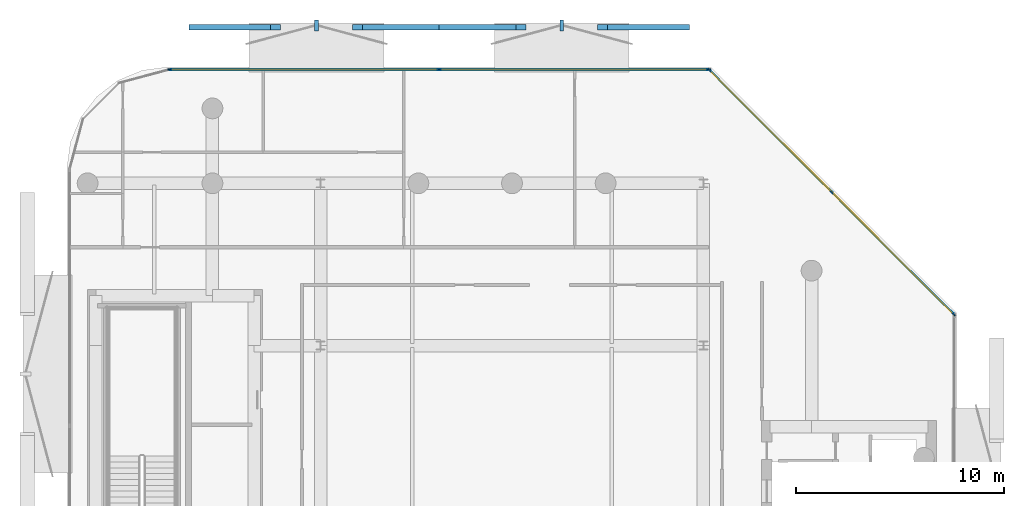
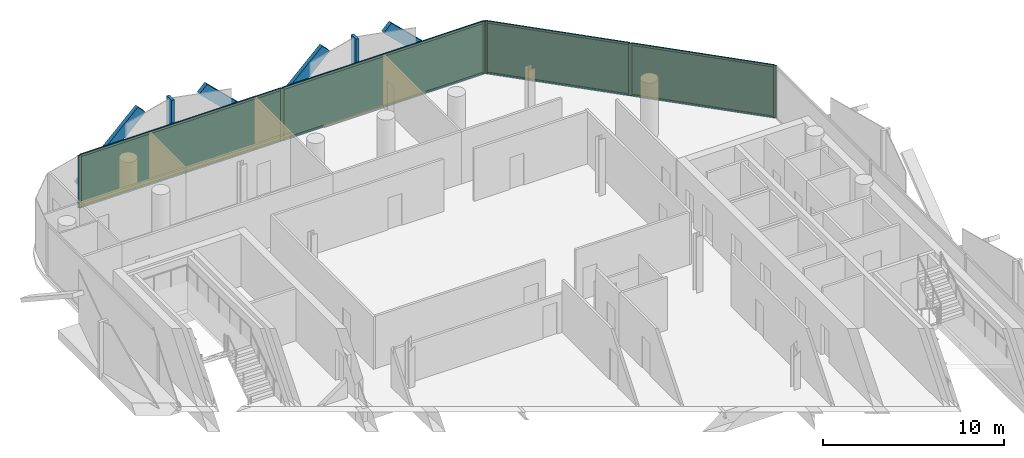
# One storey, part 12 of 15: 20 members, 4 plates, 2 curtain walls.
"""IFC4 building model written with IfcOpenShell, lengths in metres."""

from ifc_helpers import new_model, si_unit, direction, frame, frame_2d, origin, origin_2d, place, context, subcontext, project, spatial, rectangle, extrude, material, layer, layer_set, material_profile, profile_set, type_object, element, aggregate, save


model = new_model("IFC4")

# Units and contexts
model_context = context("Model", 3, precision=1e-05, world=origin(), true_north=direction((0.0, 1.0)))
body_context = subcontext(model_context, "Body", "Model", "MODEL_VIEW")
ifc_project = project(units=[si_unit("LENGTHUNIT", "METRE"), si_unit("AREAUNIT", "SQUARE_METRE"), si_unit("VOLUMEUNIT", "CUBIC_METRE"), si_unit("PLANEANGLEUNIT", "RADIAN"), si_unit("MASSUNIT", "GRAM", prefix="KILO")], contexts=[model_context])

# Member
ifc_material_1 = material(Name="Anodised Bronze Aluminium 6063-T6", Category="aluminium")
ifc_material_profile_1 = material_profile(ifc_material_1, rectangle(XDim=0.260009765625, YDim=0.699951171875, at=origin_2d()))
ifc_profile_set_1 = profile_set([ifc_material_profile_1], Name="Anodised Bronze Aluminium 6063-T6")
member_type_1 = type_object("IfcMemberType", Name="Bronze Diamond Solar-Screen Lattice Rib BDL-700", PredefinedType="MULLION", material=ifc_profile_set_1)
site_placement = place(None, origin())
building_placement = place(site_placement, origin())
storey_placement = place(building_placement, frame((0.0, 0.0, 289.0)))
member_1_placement = place(storey_placement, frame((-15.290771484375, 26.10009765625, -0.1298828125), z_axis=(0.718800851158, 0.0, 0.695216035758), x_axis=(0.0, 1.0, 0.0)))
member_1 = element("IfcMember", 1, at=member_1_placement, type_object=member_type_1, Name="L69 Bronze Diamond Solar Screen Lattice Rib 482A", PredefinedType="MULLION", context=body_context, shape_type="SweptSolid", body=[
    extrude(rectangle(XDim=0.260009765625, YDim=0.699951171875, at=origin_2d()), origin(), (0.0, 0.0, 1.0), 5.465576171875),
])

member_2_placement = place(storey_placement, frame((-3.50439453125, 26.10009765625, -0.1298828125), z_axis=(-0.718800851158, 0.0, 0.695216035758), x_axis=(0.0, -1.0, 0.0)))
member_2 = element("IfcMember", 2, at=member_2_placement, type_object=member_type_1, Name="L69 Bronze Diamond Solar Screen Lattice Rib 482B", PredefinedType="MULLION", context=body_context, shape_type="SweptSolid", body=[
    extrude(rectangle(XDim=0.260009765625, YDim=0.699951171875, at=origin_2d()), origin(), (0.0, 0.0, 1.0), 5.465576171875),
])

member_3_placement = place(storey_placement, frame((-3.50439453125, 26.10009765625, -0.1298828125), z_axis=(0.718800851158, 0.0, 0.695216035758), x_axis=(0.0, 1.0, 0.0)))
member_3 = element("IfcMember", 3, at=member_3_placement, type_object=member_type_1, Name="L69 Bronze Diamond Solar Screen Lattice Rib 483A", PredefinedType="MULLION", context=body_context, shape_type="SweptSolid", body=[
    extrude(rectangle(XDim=0.260009765625, YDim=0.699951171875, at=origin_2d()), origin(), (0.0, 0.0, 1.0), 5.465576171875),
])

member_4_placement = place(storey_placement, frame((8.281982421875, 26.10009765625, -0.1298828125), z_axis=(-0.718800851158, 0.0, 0.695216035758), x_axis=(0.0, -1.0, 0.0)))
member_4 = element("IfcMember", 4, at=member_4_placement, type_object=member_type_1, Name="L69 Bronze Diamond Solar Screen Lattice Rib 483B", PredefinedType="MULLION", context=body_context, shape_type="SweptSolid", body=[
    extrude(rectangle(XDim=0.260009765625, YDim=0.699951171875, at=origin_2d()), origin(), (0.0, 0.0, 1.0), 5.465576171875),
])

ifc_material_2 = material(Name="Anodised Bronze Aluminium 6063-T6", Category="aluminium")
ifc_material_profile_2 = material_profile(ifc_material_2, rectangle(XDim=0.179931640625, YDim=0.5400390625, at=origin_2d()))
ifc_profile_set_2 = profile_set([ifc_material_profile_2], Name="Anodised Bronze Aluminium 6063-T6")
member_type_2 = type_object("IfcMemberType", Name="Bronze Solar-Screen Vertical Fold Fin BSF-540", PredefinedType="MULLION", material=ifc_profile_set_2)
member_5_placement = place(storey_placement, frame((-9.397705078125, 26.179931640625, -0.1298828125), z_axis=(0.0, 0.0, 1.0), x_axis=(1.0, 0.0, 0.0)))
member_5 = element("IfcMember", 5, at=member_5_placement, type_object=member_type_2, Name="L69 Bronze Solar Screen Vertical Fin 482", PredefinedType="MULLION", context=body_context, shape_type="SweptSolid", body=[
    extrude(rectangle(XDim=0.179931640625, YDim=0.5400390625, at=origin_2d()), origin(), (0.0, 0.0, 1.0), 3.7998046875),
])

member_6_placement = place(storey_placement, frame((2.388916015625, 26.179931640625, -0.1298828125), z_axis=(0.0, 0.0, 1.0), x_axis=(1.0, 0.0, 0.0)))
member_6 = element("IfcMember", 6, at=member_6_placement, type_object=member_type_2, Name="L69 Bronze Solar Screen Vertical Fin 483", PredefinedType="MULLION", context=body_context, shape_type="SweptSolid", body=[
    extrude(rectangle(XDim=0.179931640625, YDim=0.5400390625, at=origin_2d()), origin(), (0.0, 0.0, 1.0), 3.7998046875),
])

ifc_material_3 = material(Name="Anodised Bronze Aluminium 6063-T6", Category="aluminium")
ifc_material_profile_3 = material_profile(ifc_material_3, rectangle(XDim=0.074951171875, YDim=0.2099609375, at=origin_2d()))
ifc_profile_set_3 = profile_set([ifc_material_profile_3], Name="Anodised Bronze Aluminium 6063-T6")
member_type_3 = type_object("IfcMemberType", Name="CW-CRN Mullion 75x210", PredefinedType="MULLION", material=ifc_profile_set_3)
member_7_placement = place(storey_placement, frame((-16.453369140625, 24.06005859375, 0.0), z_axis=(0.0, 0.0, 1.0), x_axis=(0.0, 1.0, 0.0)))
member_7 = element("IfcMember", 7, at=member_7_placement, type_object=member_type_3, Name="CW-CRN mullion 1", PredefinedType="MULLION", context=body_context, shape_type="SweptSolid", body=[
    extrude(rectangle(XDim=0.074951171875, YDim=0.2099609375, at=origin_2d()), origin(), (0.0, 0.0, 1.0), 3.5400390625),
])

member_8_placement = place(storey_placement, frame((-3.50439453125, 24.06005859375, 0.0), z_axis=(0.0, 0.0, 1.0), x_axis=(0.0, 1.0, 0.0)))
member_8 = element("IfcMember", 8, at=member_8_placement, type_object=member_type_3, Name="CW-CRN mullion 2", PredefinedType="MULLION", context=body_context, shape_type="SweptSolid", body=[
    extrude(rectangle(XDim=0.074951171875, YDim=0.2099609375, at=origin_2d()), origin(), (0.0, 0.0, 1.0), 3.5400390625),
])

member_9_placement = place(storey_placement, frame((9.444580078125, 24.06005859375, 0.0), z_axis=(0.0, 0.0, 1.0), x_axis=(0.0, 1.0, 0.0)))
member_9 = element("IfcMember", 9, at=member_9_placement, type_object=member_type_3, Name="CW-CRN mullion 3", PredefinedType="MULLION", context=body_context, shape_type="SweptSolid", body=[
    extrude(rectangle(XDim=0.074951171875, YDim=0.2099609375, at=origin_2d()), origin(), (0.0, 0.0, 1.0), 3.5400390625),
])

ifc_material_4 = material(Name="Anodised Bronze Aluminium 6063-T6", Category="aluminium")
ifc_material_profile_4 = material_profile(ifc_material_4, rectangle(XDim=0.074951171875, YDim=0.1650390625, at=origin_2d()))
ifc_profile_set_4 = profile_set([ifc_material_profile_4], Name="Anodised Bronze Aluminium 6063-T6")
member_type_4 = type_object("IfcMemberType", Name="CW-CRN Transom 75x165", PredefinedType="USERDEFINED", material=ifc_profile_set_4)
member_10_placement = place(storey_placement, frame((-16.415771484375, 24.06005859375, 0.03759765625), z_axis=(1.0, 0.0, 0.0), x_axis=(0.0, 1.0, 0.0)))
member_10 = element("IfcMember", 10, at=member_10_placement, type_object=member_type_4, Name="CW-CRN transom 1.1", ObjectType="TRANSOM", PredefinedType="USERDEFINED", context=body_context, shape_type="SweptSolid", body=[
    extrude(rectangle(XDim=0.074951171875, YDim=0.1650390625, at=origin_2d()), origin(), (0.0, 0.0, 1.0), 12.873779296875),
])

member_11_placement = place(storey_placement, frame((-16.415771484375, 24.06005859375, 3.50244140625), z_axis=(1.0, 0.0, 0.0), x_axis=(0.0, 1.0, 0.0)))
member_11 = element("IfcMember", 11, at=member_11_placement, type_object=member_type_4, Name="CW-CRN transom 1.2", ObjectType="TRANSOM", PredefinedType="USERDEFINED", context=body_context, shape_type="SweptSolid", body=[
    extrude(rectangle(XDim=0.074951171875, YDim=0.1650390625, at=origin_2d()), origin(), (0.0, 0.0, 1.0), 12.873779296875),
])

member_12_placement = place(storey_placement, frame((-3.466796875, 24.06005859375, 0.03759765625), z_axis=(1.0, 0.0, 0.0), x_axis=(0.0, 1.0, 0.0)))
member_12 = element("IfcMember", 12, at=member_12_placement, type_object=member_type_4, Name="CW-CRN transom 2.1", ObjectType="TRANSOM", PredefinedType="USERDEFINED", context=body_context, shape_type="SweptSolid", body=[
    extrude(rectangle(XDim=0.074951171875, YDim=0.1650390625, at=origin_2d()), origin(), (0.0, 0.0, 1.0), 12.873779296875),
])

member_13_placement = place(storey_placement, frame((-3.466796875, 24.06005859375, 3.50244140625), z_axis=(1.0, 0.0, 0.0), x_axis=(0.0, 1.0, 0.0)))
member_13 = element("IfcMember", 13, at=member_13_placement, type_object=member_type_4, Name="CW-CRN transom 2.2", ObjectType="TRANSOM", PredefinedType="USERDEFINED", context=body_context, shape_type="SweptSolid", body=[
    extrude(rectangle(XDim=0.074951171875, YDim=0.1650390625, at=origin_2d()), origin(), (0.0, 0.0, 1.0), 12.873779296875),
])

ifc_material_5 = material(Name="Anodised Bronze Aluminium 6063-T6", Category="aluminium")
ifc_material_profile_5 = material_profile(ifc_material_5, rectangle(XDim=0.070068359375, YDim=0.18994140625, at=origin_2d()))
ifc_profile_set_5 = profile_set([ifc_material_profile_5], Name="Anodised Bronze Aluminium 6063-T6")
member_type_5 = type_object("IfcMemberType", Name="CW-SLC Mullion 70x190", PredefinedType="MULLION", material=ifc_profile_set_5)
member_14_placement = place(storey_placement, frame((9.5068359375, 24.03515625, 0.0), z_axis=(0.0, 0.0, 1.0), x_axis=(0.707106781187, 0.707106781187, 0.0)))
member_14 = element("IfcMember", 14, at=member_14_placement, type_object=member_type_5, Name="CW-SLC mullion 1", PredefinedType="MULLION", context=body_context, shape_type="SweptSolid", body=[
    extrude(rectangle(XDim=0.070068359375, YDim=0.18994140625, at=origin_2d()), origin(), (0.0, 0.0, 1.0), 3.5400390625),
])

member_15_placement = place(storey_placement, frame((15.37109375, 18.1708984375, 0.0), z_axis=(0.0, 0.0, 1.0), x_axis=(0.707106781187, 0.707106781187, 0.0)))
member_15 = element("IfcMember", 15, at=member_15_placement, type_object=member_type_5, Name="CW-SLC mullion 2", PredefinedType="MULLION", context=body_context, shape_type="SweptSolid", body=[
    extrude(rectangle(XDim=0.070068359375, YDim=0.18994140625, at=origin_2d()), origin(), (0.0, 0.0, 1.0), 3.5400390625),
])

member_16_placement = place(storey_placement, frame((21.2353515625, 12.306640625, 0.0), z_axis=(0.0, 0.0, 1.0), x_axis=(0.707106781187, 0.707106781187, 0.0)))
member_16 = element("IfcMember", 16, at=member_16_placement, type_object=member_type_5, Name="CW-SLC mullion 3", PredefinedType="MULLION", context=body_context, shape_type="SweptSolid", body=[
    extrude(rectangle(XDim=0.070068359375, YDim=0.18994140625, at=origin_2d()), origin(), (0.0, 0.0, 1.0), 3.5400390625),
])

ifc_material_6 = material(Name="Anodised Bronze Aluminium 6063-T6", Category="aluminium")
ifc_material_profile_6 = material_profile(ifc_material_6, rectangle(XDim=0.070068359375, YDim=0.14990234375, at=origin_2d()))
ifc_profile_set_6 = profile_set([ifc_material_profile_6], Name="Anodised Bronze Aluminium 6063-T6")
member_type_6 = type_object("IfcMemberType", Name="CW-SLC Transom 70x150", PredefinedType="USERDEFINED", material=ifc_profile_set_6)
member_17_placement = place(storey_placement, frame((9.531494140625, 24.010498046875, 0.034912109375), z_axis=(0.707106781187, -0.707106781187, 0.0), x_axis=(0.707106781187, 0.707106781187, 0.0)))
member_17 = element("IfcMember", 17, at=member_17_placement, type_object=member_type_6, Name="CW-SLC transom 1.1", ObjectType="TRANSOM", PredefinedType="USERDEFINED", context=body_context, shape_type="SweptSolid", body=[
    extrude(rectangle(XDim=0.070068359375, YDim=0.14990234375, at=origin_2d()), origin(), (0.0, 0.0, 1.0), 8.22314453125),
])

member_18_placement = place(storey_placement, frame((9.531494140625, 24.010498046875, 3.5048828125), z_axis=(0.707106781187, -0.707106781187, 0.0), x_axis=(0.707106781187, 0.707106781187, 0.0)))
member_18 = element("IfcMember", 18, at=member_18_placement, type_object=member_type_6, Name="CW-SLC transom 1.2", ObjectType="TRANSOM", PredefinedType="USERDEFINED", context=body_context, shape_type="SweptSolid", body=[
    extrude(rectangle(XDim=0.070068359375, YDim=0.14990234375, at=origin_2d()), origin(), (0.0, 0.0, 1.0), 8.22314453125),
])

member_19_placement = place(storey_placement, frame((15.395751953125, 18.146240234375, 0.034912109375), z_axis=(0.707106781187, -0.707106781187, 0.0), x_axis=(0.707106781187, 0.707106781187, 0.0)))
member_19 = element("IfcMember", 19, at=member_19_placement, type_object=member_type_6, Name="CW-SLC transom 2.1", ObjectType="TRANSOM", PredefinedType="USERDEFINED", context=body_context, shape_type="SweptSolid", body=[
    extrude(rectangle(XDim=0.070068359375, YDim=0.14990234375, at=origin_2d()), origin(), (0.0, 0.0, 1.0), 8.22314453125),
])

member_20_placement = place(storey_placement, frame((15.395751953125, 18.146240234375, 3.5048828125), z_axis=(0.707106781187, -0.707106781187, 0.0), x_axis=(0.707106781187, 0.707106781187, 0.0)))
member_20 = element("IfcMember", 20, at=member_20_placement, type_object=member_type_6, Name="CW-SLC transom 2.2", ObjectType="TRANSOM", PredefinedType="USERDEFINED", context=body_context, shape_type="SweptSolid", body=[
    extrude(rectangle(XDim=0.070068359375, YDim=0.14990234375, at=origin_2d()), origin(), (0.0, 0.0, 1.0), 8.22314453125),
])

# Plate
ifc_material_7 = material(Name="Low-E Solar Control Laminated Glass", Category="glass")
ifc_layer_1 = layer(ifc_material_7, 0.035888671875, Name="Low-E Solar Control Laminated Glass")
ifc_layer_set_1 = layer_set([ifc_layer_1], Name="Low-E Solar Control Laminated Glass")
plate_type_1 = type_object("IfcPlateType", Name="CW-CRN Low-E Double Glazed Panel 36mm", PredefinedType="CURTAIN_PANEL", material=ifc_layer_set_1)
plate_1_placement = place(storey_placement, frame((-9.978759765625, 24.06005859375, 0.0751953125), z_axis=(0.0, 0.0, 1.0), x_axis=(1.0, 0.0, 0.0)))
plate_1 = element("IfcPlate", 21, at=plate_1_placement, type_object=plate_type_1, Name="CW-CRN panel 1.1", PredefinedType="CURTAIN_PANEL", context=body_context, shape_type="SweptSolid", body=[
    extrude(rectangle(XDim=12.873779296875, YDim=0.035888671875, at=origin_2d()), origin(), (0.0, 0.0, 1.0), 3.389892578125),
])

plate_2_placement = place(storey_placement, frame((2.969970703125, 24.06005859375, 0.0751953125), z_axis=(0.0, 0.0, 1.0), x_axis=(1.0, 0.0, 0.0)))
plate_2 = element("IfcPlate", 22, at=plate_2_placement, type_object=plate_type_1, Name="CW-CRN panel 2.1", PredefinedType="CURTAIN_PANEL", context=body_context, shape_type="SweptSolid", body=[
    extrude(rectangle(XDim=12.873779296875, YDim=0.035888671875, at=origin_2d()), origin(), (0.0, 0.0, 1.0), 3.389892578125),
])

ifc_material_8 = material(Name="Low-E Solar Control Laminated Glass", Category="glass")
ifc_layer_2 = layer(ifc_material_8, 0.033935546875, Name="Low-E Solar Control Laminated Glass")
ifc_layer_set_2 = layer_set([ifc_layer_2], Name="Low-E Solar Control Laminated Glass")
plate_type_2 = type_object("IfcPlateType", Name="CW-SLC Low-E Double Glazed Panel 34mm", PredefinedType="CURTAIN_PANEL", material=ifc_layer_set_2)
plate_3_placement = place(storey_placement, frame((12.43896484375, 21.10302734375, 0.070068359375), z_axis=(0.0, 0.0, 1.0), x_axis=(0.707106781187, -0.707106781187, 0.0)))
plate_3 = element("IfcPlate", 23, at=plate_3_placement, type_object=plate_type_2, Name="CW-SLC panel 1.1", PredefinedType="CURTAIN_PANEL", context=body_context, shape_type="SweptSolid", body=[
    extrude(rectangle(XDim=8.223388671875, YDim=0.033935546875, at=origin_2d()), origin(), (0.0, 0.0, 1.0), 3.39990234375),
])

plate_4_placement = place(storey_placement, frame((18.30322265625, 15.23876953125, 0.070068359375), z_axis=(0.0, 0.0, 1.0), x_axis=(0.707106781187, -0.707106781187, 0.0)))
plate_4 = element("IfcPlate", 24, at=plate_4_placement, type_object=plate_type_2, Name="CW-SLC panel 2.1", PredefinedType="CURTAIN_PANEL", context=body_context, shape_type="SweptSolid", body=[
    extrude(rectangle(XDim=8.223388671875, YDim=0.033935546875, at=origin_2d()), origin(), (0.0, 0.0, 1.0), 3.39990234375),
])

# Site, building, storey
site = spatial("IfcSite", under=ifc_project, at=site_placement, CompositionType="ELEMENT")
building = spatial("IfcBuilding", under=site, at=building_placement, Name="Khairoan Windgate Tower", CompositionType="ELEMENT")
storey = spatial("IfcBuildingStorey", under=building, at=storey_placement, Name="L69", CompositionType="ELEMENT", Elevation=289.0)

# Curtain wall
ifc_material_9 = material(Name="Anodised Bronze Aluminium 6063-T6", Category="aluminium")
ifc_layer_3 = layer(ifc_material_9, 0.2099609375, Name="Anodised Bronze Aluminium 6063-T6")
ifc_layer_set_3 = layer_set([ifc_layer_3], Name="Anodised Bronze Aluminium 6063-T6")
curtain_wall_type_1 = type_object("IfcCurtainWallType", Name="Crown Observation and Vitrine Curtain Wall CW-CRN", PredefinedType="NOTDEFINED", material=ifc_layer_set_3)
curtain_wall_1_placement = place(storey_placement, frame((-16.49072265625, 24.06005859375, 0.0), z_axis=(0.0, 0.0, 1.0), x_axis=(1.0, 0.0, 0.0)))
curtain_wall_1 = element("IfcCurtainWall", 25, at=curtain_wall_1_placement, inside=storey, type_object=curtain_wall_type_1, Name="L69 Unitised Curtain Wall 7", PredefinedType="NOTDEFINED", context=body_context, shape_type="SweptSolid", body=[
    extrude(rectangle(XDim=25.97265625, YDim=0.010009765625, at=frame_2d((12.986328125, 0.0))), origin(), (0.0, 0.0, 1.0), 3.5400390625),
])

aggregate(curtain_wall_1, [member_7, member_8, member_9, member_10, member_11, plate_1, member_12, member_13, plate_2, member_1, member_2, member_5, member_3, member_4, member_6])

ifc_material_10 = material(Name="Anodised Bronze Aluminium 6063-T6", Category="aluminium")
ifc_layer_4 = layer(ifc_material_10, 0.18994140625, Name="Anodised Bronze Aluminium 6063-T6")
ifc_layer_set_4 = layer_set([ifc_layer_4], Name="Anodised Bronze Aluminium 6063-T6")
curtain_wall_type_2 = type_object("IfcCurtainWallType", Name="Diagonal Corner-Slice Facet Curtain Wall CW-SLC", PredefinedType="NOTDEFINED", material=ifc_layer_set_4)
curtain_wall_2_placement = place(storey_placement, frame((9.48193359375, 24.06005859375, 0.0), z_axis=(0.0, 0.0, 1.0), x_axis=(0.707106781187, -0.707106781187, 0.0)))
curtain_wall_2 = element("IfcCurtainWall", 26, at=curtain_wall_2_placement, inside=storey, type_object=curtain_wall_type_2, Name="L69 Crystal Slice Curtain Wall 8", PredefinedType="NOTDEFINED", context=body_context, shape_type="SweptSolid", body=[
    extrude(rectangle(XDim=16.65673828125, YDim=0.010009765625, at=frame_2d((8.328369140625, 0.0))), origin(), (0.0, 0.0, 1.0), 3.5400390625),
])

aggregate(curtain_wall_2, [member_14, member_15, member_16, member_17, member_18, plate_3, member_19, member_20, plate_4])

save(model, "model.ifc")
